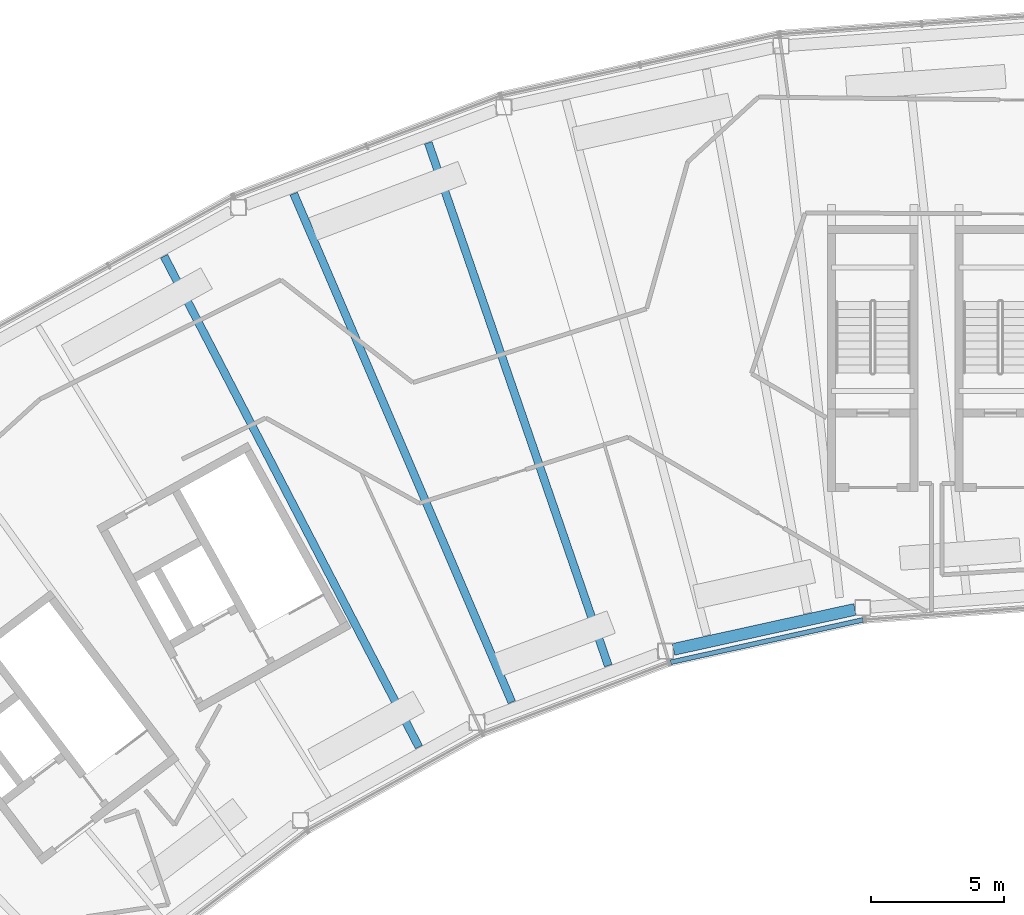
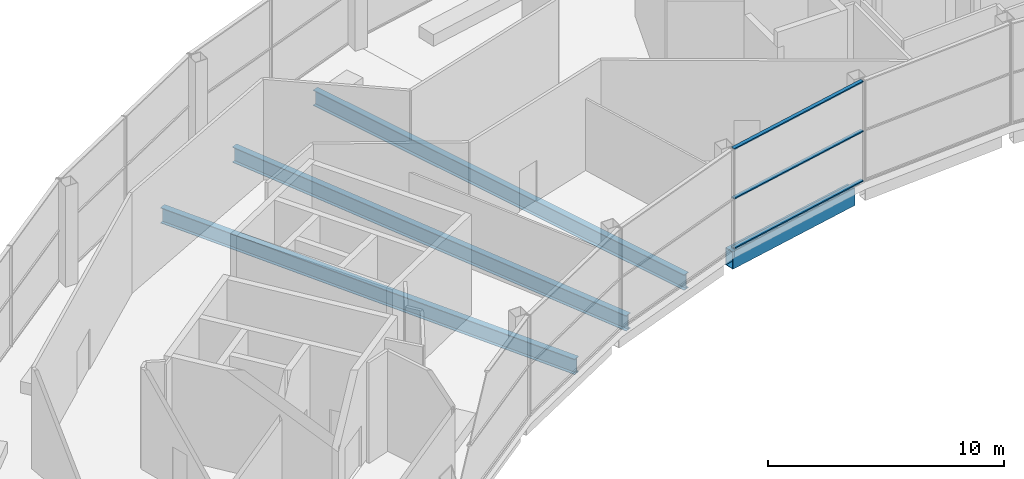
# One storey, part 12 of 44: 4 beams, 3 members, 1 element without a shape of its own.
"""IFC4 building model written with IfcOpenShell, lengths in metres."""

from ifc_helpers import new_model, si_unit, direction, frame, origin, origin_2d, place, context, subcontext, project, spatial, hollow_rectangle, i_section, extrude, material, layer, layer_set, material_profile, profile_set, type_object, element, aggregate, save


model = new_model("IFC4")

# Units and contexts
model_context = context("Model", 3, precision=1e-05, world=origin(), true_north=direction((0.0, 1.0)))
body_context = subcontext(model_context, "Body", "Model", "MODEL_VIEW")
ifc_project = project(units=[si_unit("LENGTHUNIT", "METRE"), si_unit("AREAUNIT", "SQUARE_METRE"), si_unit("VOLUMEUNIT", "CUBIC_METRE"), si_unit("PLANEANGLEUNIT", "RADIAN"), si_unit("MASSUNIT", "GRAM", prefix="KILO")], contexts=[model_context])

# Site, building, storey
site_placement = place(None, origin())
site = spatial("IfcSite", under=ifc_project, at=site_placement, CompositionType="ELEMENT")
building_placement = place(site_placement, origin())
building = spatial("IfcBuilding", under=site, at=building_placement, Name="Tuul Gate Civic Tower", CompositionType="ELEMENT")
storey_placement = place(building_placement, frame((0.0, 0.0, 354.60009765625)))
storey = spatial("IfcBuildingStorey", under=building, at=storey_placement, Name="Observation level 2", CompositionType="ELEMENT", Elevation=354.60009765625)

# Curtain wall, members
ifc_material_1 = material(Name="Stainless steel", Category="steel")
ifc_layer = layer(ifc_material_1, 0.199951171875)
ifc_layer_set = layer_set([ifc_layer], Name="Stainless steel")
curtain_wall_type = type_object("IfcCurtainWallType", Name="Curtain wall CW4", PredefinedType="NOTDEFINED", material=ifc_layer_set)
curtain_wall_placement = place(storey_placement, origin())
curtain_wall = element("IfcCurtainWall", 1, at=curtain_wall_placement, inside=storey, type_object=curtain_wall_type, Name="Curtain wall CW4", PredefinedType="NOTDEFINED")
ifc_material_2 = material(Name="Stainless steel", Category="steel")
ifc_material_profile_1 = material_profile(ifc_material_2, hollow_rectangle(XDim=0.179931640625, YDim=0.06005859375, WallThickness=0.006103515625, at=origin_2d()), Name="CW4 transom")
ifc_profile_set_1 = profile_set([ifc_material_profile_1], Name="Stainless steel")
member_type = type_object("IfcMemberType", Name="CW4 transom", PredefinedType="USERDEFINED", material=ifc_profile_set_1)
member_1_placement = place(storey_placement, frame((-12.6064453125, -10.130126953125, 0.02978515625), z_axis=(0.976559448931, 0.215247863414, 0.0), x_axis=(-0.215247863414, 0.976559448931, 0.0)))
member_1 = element("IfcMember", 2, at=member_1_placement, type_object=member_type, Name="Transom", ObjectType="TRANSOM", PredefinedType="USERDEFINED", context=body_context, shape_type="SweptSolid", body=[
    extrude(hollow_rectangle(XDim=0.179931640625, YDim=0.06005859375, WallThickness=0.006103515625, at=origin_2d()), origin(), (0.0, 0.0, 1.0), 7.406494140625),
])
member_2_placement = place(storey_placement, frame((-12.6064453125, -10.130126953125, 2.599853515625), z_axis=(0.976559448931, 0.215247863414, 0.0), x_axis=(-0.215247863414, 0.976559448931, 0.0)))
member_2 = element("IfcMember", 3, at=member_2_placement, type_object=member_type, Name="Transom", ObjectType="TRANSOM", PredefinedType="USERDEFINED", context=body_context, shape_type="SweptSolid", body=[
    extrude(hollow_rectangle(XDim=0.179931640625, YDim=0.06005859375, WallThickness=0.006103515625, at=origin_2d()), origin(), (0.0, 0.0, 1.0), 7.406494140625),
])
member_3_placement = place(storey_placement, frame((-12.6064453125, -10.130126953125, 5.169921875), z_axis=(0.976559448931, 0.215247863414, 0.0), x_axis=(-0.215247863414, 0.976559448931, 0.0)))
member_3 = element("IfcMember", 4, at=member_3_placement, type_object=member_type, Name="Transom", ObjectType="TRANSOM", PredefinedType="USERDEFINED", context=body_context, shape_type="SweptSolid", body=[
    extrude(hollow_rectangle(XDim=0.179931640625, YDim=0.06005859375, WallThickness=0.006103515625, at=origin_2d()), origin(), (0.0, 0.0, 1.0), 7.406494140625),
])
aggregate(curtain_wall, [member_1, member_2, member_3])

# Beams
ifc_material_3 = material(Name="Steel S355", Category="steel")
ifc_material_profile_2 = material_profile(ifc_material_3, i_section(OverallWidth=0.300048828125, OverallDepth=0.800048828125, WebThickness=0.013916015625, FlangeThickness=0.02490234375, at=origin_2d()), Name="PG800x300x14x25")
ifc_profile_set_2 = profile_set([ifc_material_profile_2], Name="Steel S355")
beam_type_1 = type_object("IfcBeamType", Name="STR-FLOOR BEAM-PG800x300x14x25", PredefinedType="BEAM", material=ifc_profile_set_2)
beam_1_placement = place(storey_placement, frame((-14.954345703125, -10.259765625, -0.800048828125), z_axis=(-0.325483706592, 0.945547649113, 0.0), x_axis=(-0.945547649113, -0.325483706592, 0.0)))
element("IfcBeam", 5, at=beam_1_placement, inside=storey, type_object=beam_type_1, Name="Floor beam", PredefinedType="BEAM", context=body_context, shape_type="SweptSolid", body=[
    extrude(i_section(OverallWidth=0.300048828125, OverallDepth=0.800048828125, WebThickness=0.013916015625, FlangeThickness=0.02490234375, at=origin_2d()), origin(), (0.0, 0.0, 1.0), 20.808837890625),
])
beam_2_placement = place(storey_placement, frame((-18.58447265625, -11.633056640625, -0.800048828125), z_axis=(-0.39419807985, 0.919025502281, 0.0), x_axis=(-0.919025502281, -0.39419807985, 0.0)))
element("IfcBeam", 6, at=beam_2_placement, inside=storey, type_object=beam_type_1, Name="Floor beam", PredefinedType="BEAM", context=body_context, shape_type="SweptSolid", body=[
    extrude(i_section(OverallWidth=0.300048828125, OverallDepth=0.800048828125, WebThickness=0.013916015625, FlangeThickness=0.02490234375, at=origin_2d()), origin(), (0.0, 0.0, 1.0), 20.820068359375),
])
beam_3_placement = place(storey_placement, frame((-22.079345703125, -13.32080078125, -0.800048828125), z_axis=(-0.46076746296, 0.887520898389, 0.0), x_axis=(-0.887520898389, -0.46076746296, 0.0)))
element("IfcBeam", 7, at=beam_3_placement, inside=storey, type_object=beam_type_1, Name="Floor beam", PredefinedType="BEAM", context=body_context, shape_type="SweptSolid", body=[
    extrude(i_section(OverallWidth=0.300048828125, OverallDepth=0.800048828125, WebThickness=0.013916015625, FlangeThickness=0.02490234375, at=origin_2d()), origin(), (0.0, 0.0, 1.0), 20.80810546875),
])
ifc_material_4 = material(Name="Steel S355", Category="steel")
ifc_material_profile_3 = material_profile(ifc_material_4, hollow_rectangle(XDim=0.449951171875, YDim=0.89990234375, WallThickness=0.02490234375, at=origin_2d()), Name="BOX900x450x25")
ifc_profile_set_3 = profile_set([ifc_material_profile_3], Name="Steel S355")
beam_type_2 = type_object("IfcBeamType", Name="STR-SPANDREL BEAM-BOX900x450x25", PredefinedType="BEAM", material=ifc_profile_set_3)
beam_4_placement = place(storey_placement, frame((-12.5009765625, -9.6455078125, -0.85009765625), z_axis=(0.976591238289, 0.215103587366, 0.0), x_axis=(-0.215103587366, 0.976591238289, 0.0)))
element("IfcBeam", 8, at=beam_4_placement, inside=storey, type_object=beam_type_2, Name="Spandrel beam", PredefinedType="BEAM", context=body_context, shape_type="SweptSolid", body=[
    extrude(hollow_rectangle(XDim=0.449951171875, YDim=0.89990234375, WallThickness=0.02490234375, at=origin_2d()), origin(), (0.0, 0.0, 1.0), 6.991455078125),
])

save(model, "model.ifc")
